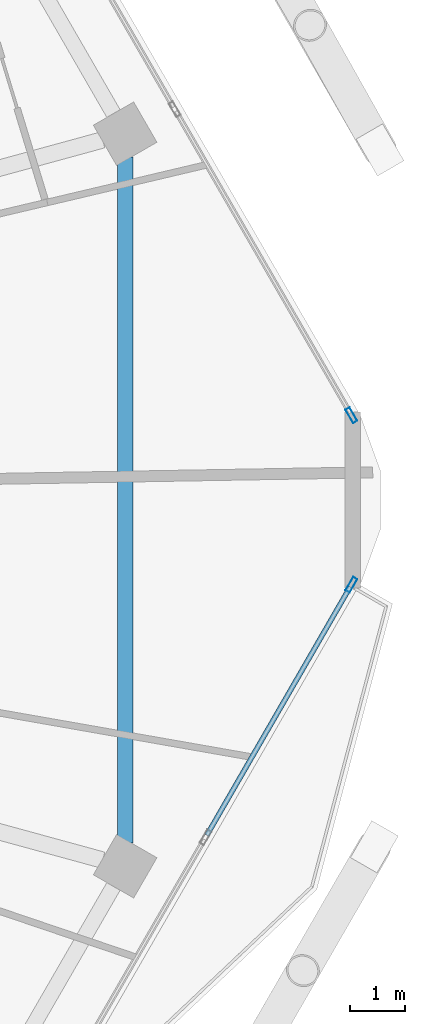
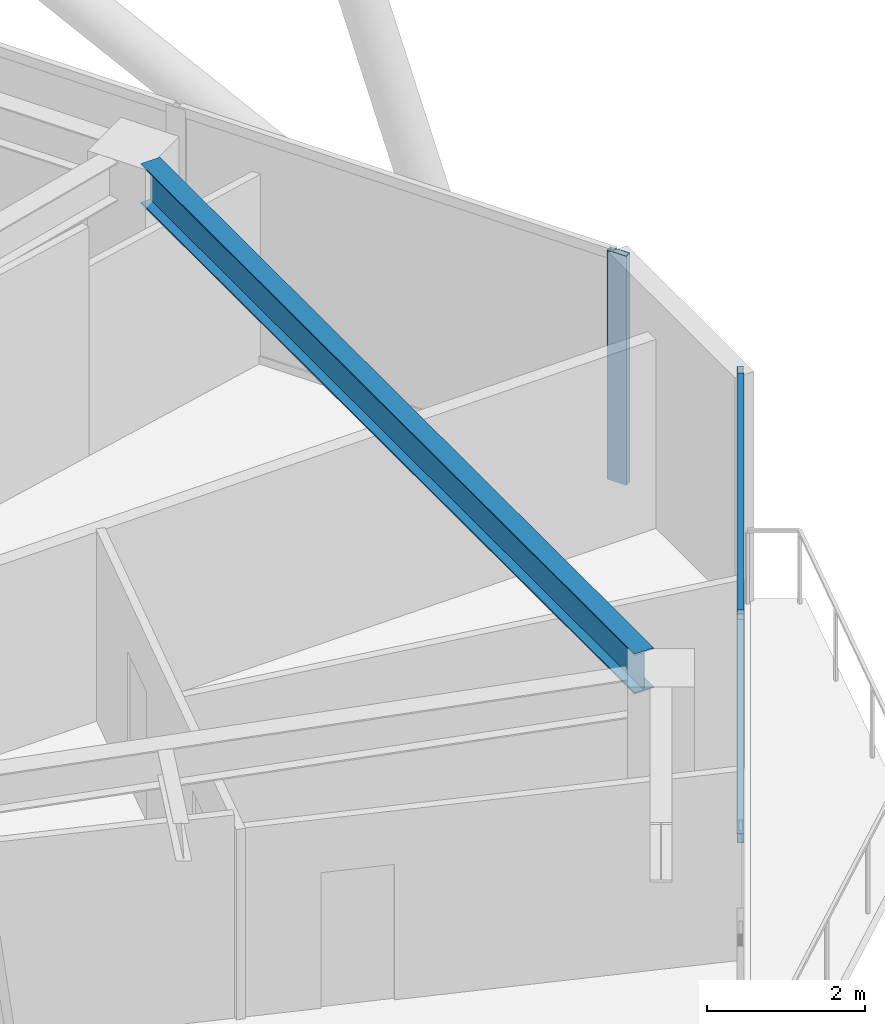
# One storey, part 11 of 29: 4 members, 1 beam, 2 elements without a shape of their own.
"""IFC4 building model written with IfcOpenShell, lengths in metres."""

from ifc_helpers import new_model, si_unit, direction, frame, origin, origin_2d, place, context, subcontext, project, spatial, hollow_rectangle, i_section, extrude, material, material_profile, profile_set, type_object, element, aggregate, save


model = new_model("IFC4")

# Units and contexts
model_context = context("Model", 3, precision=1e-05, world=origin(), true_north=direction((0.0, 1.0)))
body_context = subcontext(model_context, "Body", "Model", "MODEL_VIEW")
ifc_project = project(units=[si_unit("LENGTHUNIT", "METRE"), si_unit("AREAUNIT", "SQUARE_METRE"), si_unit("VOLUMEUNIT", "CUBIC_METRE"), si_unit("PLANEANGLEUNIT", "RADIAN"), si_unit("MASSUNIT", "GRAM", prefix="KILO")], contexts=[model_context])

# Site, building, storey
site_placement = place(None, origin())
site = spatial("IfcSite", under=ifc_project, at=site_placement, CompositionType="ELEMENT")
building_placement = place(site_placement, origin())
building = spatial("IfcBuilding", under=site, at=building_placement, Name="Zuhravey Tower", CompositionType="ELEMENT")
storey_placement = place(building_placement, frame((0.0, 0.0, 292.0)))
storey = spatial("IfcBuildingStorey", under=building, at=storey_placement, Name="L74", CompositionType="ELEMENT", Elevation=292.0)

# Curtain wall, member
ifc_material_1 = material(Name="Thermally broken anodised aluminium", Category="aluminium")
curtain_wall_type = type_object("IfcCurtainWallType", Name="Zone 3-4 High-Rise Curtain Wall CW4", PredefinedType="NOTDEFINED", material=ifc_material_1)
curtain_wall_1_placement = place(storey_placement, origin())
curtain_wall_1 = element("IfcCurtainWall", 1, at=curtain_wall_1_placement, inside=storey, type_object=curtain_wall_type, Name="L74 CW4 CW-L74-F6-1", PredefinedType="NOTDEFINED")
ifc_material_2 = material(Name="Anodised aluminium", Category="aluminium")
ifc_material_profile_1 = material_profile(ifc_material_2, hollow_rectangle(XDim=0.090087890625, YDim=0.284912109375, WallThickness=0.0048828125, at=origin_2d()), Name="ALU-RHS-90x285x5")
ifc_profile_set_1 = profile_set([ifc_material_profile_1], Name="Anodised aluminium")
member_type_1 = type_object("IfcMemberType", Name="Curtain-Wall Mullion 90x180", PredefinedType="MULLION", material=ifc_profile_set_1)
member_1_placement = place(storey_placement, frame((64.62255859375, 30.448486328125, 0.0), z_axis=(0.0, 0.0, 1.0), x_axis=(0.866025601635, -0.499999657313, 0.0)))
member_1 = element("IfcMember", 2, at=member_1_placement, type_object=member_type_1, Name="CW4 mullion 1", PredefinedType="MULLION", context=body_context, shape_type="SweptSolid", body=[
    extrude(hollow_rectangle(XDim=0.090087890625, YDim=0.284912109375, WallThickness=0.0048828125, at=origin_2d()), origin(), (0.0, 0.0, 1.0), 3.550048828125),
])

curtain_wall_2_placement = place(storey_placement, origin())
curtain_wall_2 = element("IfcCurtainWall", 3, at=curtain_wall_2_placement, inside=storey, type_object=curtain_wall_type, Name="L74 CW4 CW-L74-F1-1", PredefinedType="NOTDEFINED")
member_2_placement = place(storey_placement, frame((64.62255859375, 33.551513671875, 0.0), z_axis=(0.0, 0.0, 1.0), x_axis=(0.866024851021, 0.500000957414, 0.0)))
member_2 = element("IfcMember", 4, at=member_2_placement, type_object=member_type_1, Name="CW4 mullion 5", PredefinedType="MULLION", context=body_context, shape_type="SweptSolid", body=[
    extrude(hollow_rectangle(XDim=0.090087890625, YDim=0.284912109375, WallThickness=0.0048828125, at=origin_2d()), origin(), (0.0, 0.0, 1.0), 3.550048828125),
])
aggregate(curtain_wall_2, [member_2])

# Member
ifc_material_profile_2 = material_profile(ifc_material_2, hollow_rectangle(XDim=0.090087890625, YDim=0.14990234375, WallThickness=0.0048828125, at=origin_2d()), Name="ALU-RHS-90x150x5")
ifc_profile_set_2 = profile_set([ifc_material_profile_2], Name="Anodised aluminium")
member_type_2 = type_object("IfcMemberType", Name="Curtain-Wall Transom 90x150", PredefinedType="USERDEFINED", material=ifc_profile_set_2)
member_3_placement = place(storey_placement, frame((64.60009765625, 30.40966796875, 0.044921875), z_axis=(-0.499969631829, -0.866042936146, 0.0), x_axis=(0.866042936146, -0.499969631829, 0.0)))
member_3 = element("IfcMember", 5, at=member_3_placement, type_object=member_type_2, Name="CW4 transom 1.1", ObjectType="TRANSOM", PredefinedType="USERDEFINED", context=body_context, shape_type="SweptSolid", body=[
    extrude(hollow_rectangle(XDim=0.090087890625, YDim=0.14990234375, WallThickness=0.0048828125, at=origin_2d()), origin(), (0.0, 0.0, 1.0), 5.243896484375),
])

member_4_placement = place(storey_placement, frame((64.60009765625, 30.40966796875, 3.5048828125), z_axis=(-0.499969631829, -0.866042936146, 0.0), x_axis=(0.866042936146, -0.499969631829, 0.0)))
member_4 = element("IfcMember", 6, at=member_4_placement, type_object=member_type_2, Name="CW4 transom 1.2", ObjectType="TRANSOM", PredefinedType="USERDEFINED", context=body_context, shape_type="SweptSolid", body=[
    extrude(hollow_rectangle(XDim=0.090087890625, YDim=0.14990234375, WallThickness=0.0048828125, at=origin_2d()), origin(), (0.0, 0.0, 1.0), 5.243896484375),
])

aggregate(curtain_wall_1, [member_1, member_3, member_4])

# Beam
ifc_material_3 = material(Name="Steel SM355", Category="steel")
ifc_material_profile_3 = material_profile(ifc_material_3, i_section(OverallWidth=0.280029296875, OverallDepth=0.6201171875, WebThickness=0.011962890625, FlangeThickness=0.02001953125, at=origin_2d()), Name="H-620x280x12x20")
ifc_profile_set_3 = profile_set([ifc_material_profile_3], Name="Steel SM355")
beam_type = type_object("IfcBeamType", Name="Perimeter Ring Beam H620x280", PredefinedType="BEAM", material=ifc_profile_set_3)
beam_placement = place(storey_placement, frame((60.484619140625, 25.72900390625, 3.239990234375), z_axis=(0.0, 1.0, 0.0), x_axis=(-1.0, 0.0, 0.0)))
element("IfcBeam", 7, at=beam_placement, inside=storey, type_object=beam_type, Name="L74 PB3 BM-L74-PB-12", PredefinedType="BEAM", context=body_context, shape_type="SweptSolid", body=[
    extrude(i_section(OverallWidth=0.280029296875, OverallDepth=0.6201171875, WebThickness=0.011962890625, FlangeThickness=0.02001953125, at=origin_2d()), origin(), (0.0, 0.0, 1.0), 12.5419921875),
])

save(model, "model.ifc")
